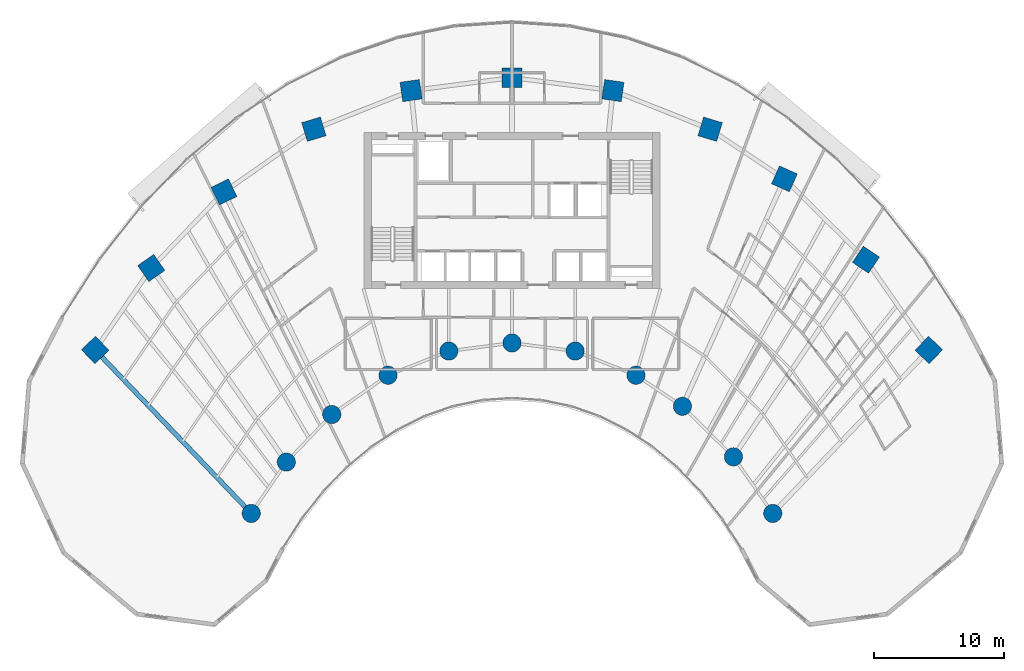
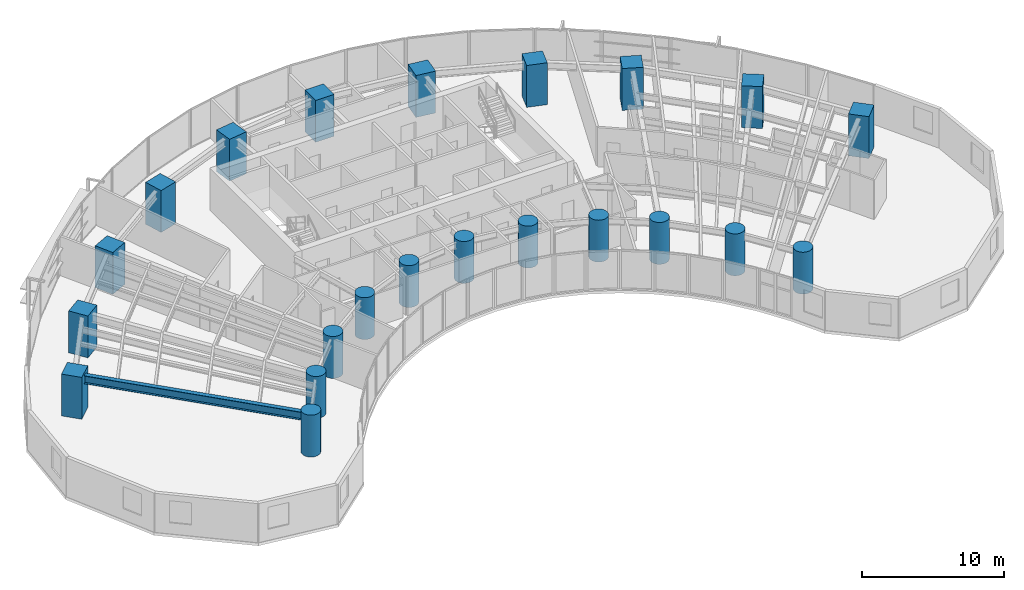
# One storey, part 1 of 17: 22 columns, 1 beam.
"""IFC4 building model written with IfcOpenShell, lengths in metres."""

from ifc_helpers import new_model, si_unit, direction, frame, origin, origin_2d, place, context, subcontext, project, spatial, rectangle, circle, i_section, extrude, source, transform, mapped, material, material_profile, profile_set, type_object, type_shapes, element, save


model = new_model("IFC4")

# Units and contexts
model_context = context("Model", 3, precision=1e-05, world=origin(), true_north=direction((0.0, 1.0)))
body_context = subcontext(model_context, "Body", "Model", "MODEL_VIEW")
ifc_project = project(units=[si_unit("LENGTHUNIT", "METRE"), si_unit("AREAUNIT", "SQUARE_METRE"), si_unit("VOLUMEUNIT", "CUBIC_METRE"), si_unit("PLANEANGLEUNIT", "RADIAN"), si_unit("MASSUNIT", "GRAM", prefix="KILO")], contexts=[model_context])

# Site, building, storey
site_placement = place(None, origin())
site = spatial("IfcSite", under=ifc_project, at=site_placement, CompositionType="ELEMENT")
building_placement = place(site_placement, origin())
building = spatial("IfcBuilding", under=site, at=building_placement, Name="Breltana Convention Tower", CompositionType="ELEMENT")
storey_placement = place(building_placement, frame((0.0, 0.0, 57.0)))
storey = spatial("IfcBuildingStorey", under=building, at=storey_placement, Name="L12", CompositionType="ELEMENT", Elevation=57.0)

# Columns
ifc_material_1 = material(Name="Concrete C60/75", Category="concrete")
ifc_material_profile_1 = material_profile(ifc_material_1, circle(Radius=0.699951171875, at=origin_2d()), Name="RC-COL-D1400")
ifc_profile_set_1 = profile_set([ifc_material_profile_1], Name="Concrete C60/75")
column_type_1 = type_object("IfcColumnType", Name="COL-RC-D1400", PredefinedType="COLUMN", material=ifc_profile_set_1)
shared_shape_1 = source(origin(), body_context, "Body", "SweptSolid", [
    extrude(circle(Radius=0.699951171875, at=origin_2d()), origin(), (0.0, 0.0, 1.0), 3.60009765625),
])
for number, where, z_axis, x_axis, name in (
    (1, (27.984619140625, 42.95458984375, 0.0), (0.0, 0.0, 1.0), (-0.690756218984, 0.723087716626, 0.0), "L12 Tower Column R01-IN"),
    (2, (30.67724609375, 46.892333984375, 0.0), (0.0, 0.0, 1.0), (-0.571143442153, 0.820850271661, 0.0), "L12 Tower Column R02-IN"),
    (3, (34.166259765625, 50.544921875, 0.0), (0.0, 0.0, 1.0), (-0.436173672171, 0.899862504889, 0.0), "L12 Tower Column R03-IN"),
    (4, (38.485107421875, 53.5576171875, 0.0), (0.0, 0.0, 1.0), (-0.288697611798, 0.957420330337, 0.0), "L12 Tower Column R04-IN"),
    (5, (43.153564453125, 55.41064453125, 0.0), (0.0, 0.0, 1.0), (-0.143492621991, 0.98965138682, 0.0), "L12 Tower Column R05-IN"),
    (6, (48.0, 56.035888671875, 0.0), (0.0, 0.0, 1.0), (0.0, 1.0, 0.0), "L12 Tower Column R06-IN"),
    (7, (52.846435546875, 55.41064453125, 0.0), (0.0, 0.0, 1.0), (0.143492621991, 0.98965138682, 0.0), "L12 Tower Column R07-IN"),
    (8, (57.514892578125, 53.5576171875, 0.0), (0.0, 0.0, 1.0), (0.288697611798, 0.957420330337, 0.0), "L12 Tower Column R08-IN"),
    (9, (61.08203125, 51.174560546875, 0.0), (0.0, 0.0, 1.0), (0.409126902895, 0.912477494148, 0.0), "L12 Tower Column R09-IN"),
    (10, (64.995849609375, 47.293701171875, 0.0), (0.0, 0.0, 1.0), (0.55774510898, 0.830012285095, 0.0), "L12 Tower Column R10-IN"),
    (11, (68.015380859375, 42.95458984375, 0.0), (0.0, 0.0, 1.0), (0.690756218984, 0.723087716626, 0.0), "L12 Tower Column R11-IN"),
):
    element("IfcColumn", number, at=place(storey_placement, frame(where, z_axis=z_axis, x_axis=x_axis)), inside=storey, type_object=column_type_1, Name=name, PredefinedType="COLUMN", context=body_context, shape_type="MappedRepresentation", body=[
        mapped(shared_shape_1, transform((0.0, 0.0, 0.0), scale=1.0)),
    ])
ifc_material_profile_2 = material_profile(ifc_material_1, rectangle(XDim=1.5, YDim=1.5, at=origin_2d()), Name="RC-COL-1500X1500")
ifc_profile_set_2 = profile_set([ifc_material_profile_2], Name="Concrete C60/75")
column_type_2 = type_object("IfcColumnType", Name="COL-RC-1500", PredefinedType="COLUMN", material=ifc_profile_set_2)
shared_shape_2 = source(origin(), body_context, "Body", "SweptSolid", [
    extrude(rectangle(XDim=1.5, YDim=1.5, at=origin_2d()), origin(), (0.0, 0.0, 1.0), 3.60009765625),
])
for number, where, z_axis, x_axis, name in (
    (12, (16.0068359375, 55.494384765625, 0.0), (0.0, 0.0, 1.0), (-0.690756218984, 0.723087716626, 0.0), "L12 Tower Column R01-OUT"),
    (13, (20.310791015625, 61.78857421875, 0.0), (0.0, 0.0, 1.0), (-0.571143442153, 0.820850271661, 0.0), "L12 Tower Column R02-OUT"),
    (14, (25.8876953125, 67.626953125, 0.0), (0.0, 0.0, 1.0), (-0.436173672171, 0.899862504889, 0.0), "L12 Tower Column R03-OUT"),
    (15, (32.791015625, 72.4423828125, 0.0), (0.0, 0.0, 1.0), (-0.288697611798, 0.957420330337, 0.0), "L12 Tower Column R04-OUT"),
    (16, (40.253173828125, 75.404296875, 0.0), (0.0, 0.0, 1.0), (-0.143492621991, 0.98965138682, 0.0), "L12 Tower Column R05-OUT"),
    (17, (48.0, 76.404052734375, 0.0), (0.0, 0.0, 1.0), (0.0, 1.0, 0.0), "L12 Tower Column R06-OUT"),
    (18, (55.746826171875, 75.404296875, 0.0), (0.0, 0.0, 1.0), (0.143492621991, 0.98965138682, 0.0), "L12 Tower Column R07-OUT"),
    (19, (63.208984375, 72.4423828125, 0.0), (0.0, 0.0, 1.0), (0.288697611798, 0.957420330337, 0.0), "L12 Tower Column R08-OUT"),
    (20, (68.910400390625, 68.63330078125, 0.0), (0.0, 0.0, 1.0), (0.409126902895, 0.912477494148, 0.0), "L12 Tower Column R09-OUT"),
    (21, (75.166748046875, 62.43017578125, 0.0), (0.0, 0.0, 1.0), (0.55774510898, 0.830012285095, 0.0), "L12 Tower Column R10-OUT"),
    (22, (79.9931640625, 55.494384765625, 0.0), (0.0, 0.0, 1.0), (0.690756218984, 0.723087716626, 0.0), "L12 Tower Column R11-OUT"),
):
    element("IfcColumn", number, at=place(storey_placement, frame(where, z_axis=z_axis, x_axis=x_axis)), inside=storey, type_object=column_type_2, Name=name, PredefinedType="COLUMN", context=body_context, shape_type="MappedRepresentation", body=[
        mapped(shared_shape_2, transform((0.0, 0.0, 0.0), scale=1.0)),
    ])

# Beam
ifc_material_2 = material(Name="Steel ASTM A992 Grade 50", Category="steel")
ifc_material_profile_3 = material_profile(ifc_material_2, i_section(OverallWidth=0.35498046875, OverallDepth=0.696044921875, WebThickness=0.015380859375, FlangeThickness=0.02490234375, at=origin_2d()), Name="W27X146")
ifc_profile_set_3 = profile_set([ifc_material_profile_3], Name="Steel ASTM A992 Grade 50")
beam_type = type_object("IfcBeamType", Name="BM-RG-W27X146", PredefinedType="USERDEFINED", material=ifc_profile_set_3)
shared_shape_3 = source(origin(), body_context, "Body", "SweptSolid", [
    extrude(i_section(OverallWidth=0.35498046875, OverallDepth=0.696044921875, WebThickness=0.015380859375, FlangeThickness=0.02490234375, at=origin_2d()), origin(), (0.0, 0.0, 1.0), 17.341064453125),
])
type_shapes(beam_type, [shared_shape_3])
beam_placement = place(storey_placement, frame((27.984619140625, 42.95458984375, 3.011962890625), z_axis=(-0.690716462293, 0.723125693581, 0.0), x_axis=(-0.723125693581, -0.690716462293, 0.0)))
element("IfcBeam", 23, at=beam_placement, inside=storey, type_object=beam_type, Name="L12 Radial Floor Girder R01", ObjectType="GIRDER", PredefinedType="USERDEFINED", context=body_context, shape_type="MappedRepresentation", body=[
    mapped(shared_shape_3, transform((0.0, 0.0, 0.0), scale=1.0)),
])

save(model, "model.ifc")
